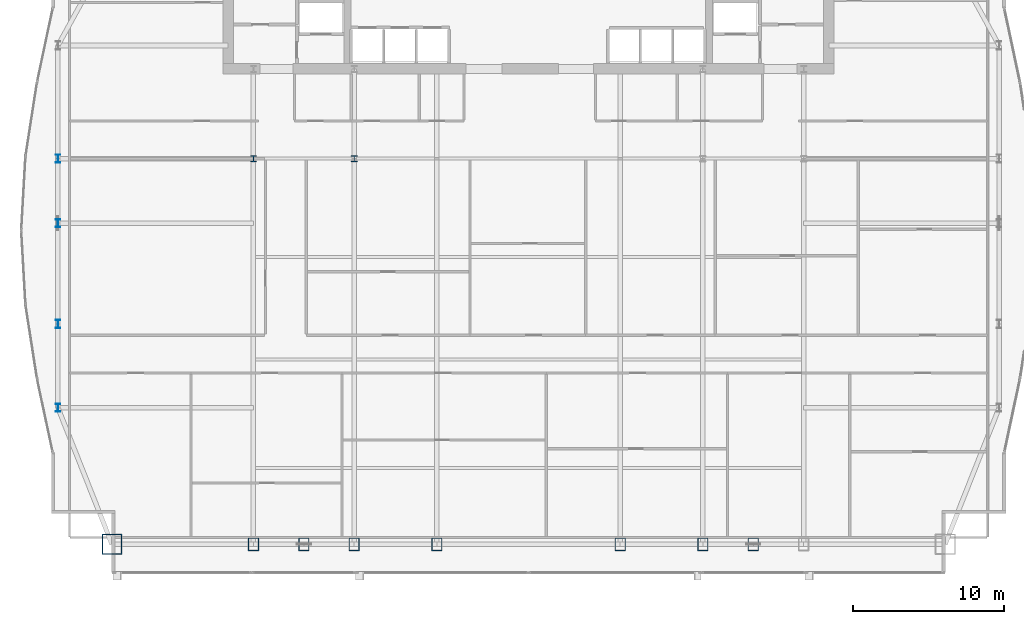
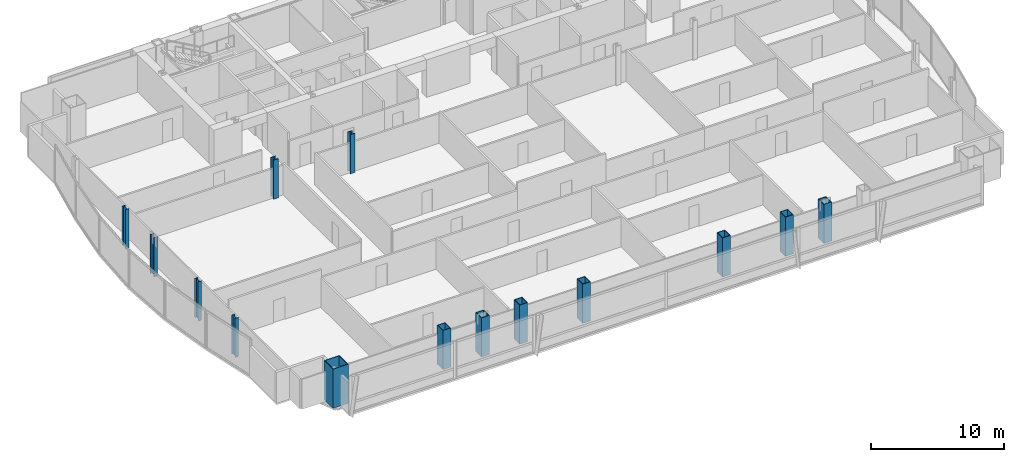
# One storey, part 1 of 29: 14 columns.
"""IFC4 building model written with IfcOpenShell, lengths in metres."""

from ifc_helpers import new_model, si_unit, direction, frame, origin, origin_2d, place, context, subcontext, project, spatial, hollow_rectangle, i_section, extrude, material, material_profile, profile_set, type_object, element, save


model = new_model("IFC4")

# Units and contexts
model_context = context("Model", 3, precision=1e-05, world=origin(), true_north=direction((0.0, 1.0)))
body_context = subcontext(model_context, "Body", "Model", "MODEL_VIEW")
ifc_project = project(units=[si_unit("LENGTHUNIT", "METRE"), si_unit("AREAUNIT", "SQUARE_METRE"), si_unit("VOLUMEUNIT", "CUBIC_METRE"), si_unit("PLANEANGLEUNIT", "RADIAN"), si_unit("MASSUNIT", "GRAM", prefix="KILO")], contexts=[model_context])

# Site, building, storey
site_placement = place(None, origin())
site = spatial("IfcSite", under=ifc_project, at=site_placement, CompositionType="ELEMENT")
building_placement = place(site_placement, origin())
building = spatial("IfcBuilding", under=site, at=building_placement, Name="Khoronbel Lancet Exchange", CompositionType="ELEMENT")
storey_placement = place(building_placement, frame((0.0, 0.0, 165.0)))
storey = spatial("IfcBuildingStorey", under=building, at=storey_placement, Name="L41", CompositionType="ELEMENT", Elevation=165.0)

# Columns
ifc_material_1 = material(Name="Steel S460", Category="steel")
ifc_material_profile_1 = material_profile(ifc_material_1, hollow_rectangle(XDim=0.699951171875, YDim=0.85009765625, WallThickness=0.050048828125, at=origin_2d()), Name="BOX 850x700x50")
ifc_profile_set_1 = profile_set([ifc_material_profile_1], Name="Steel S460")
column_type_1 = type_object("IfcColumnType", Name="COL-EC2", PredefinedType="COLUMN", material=ifc_profile_set_1)
for number, where, z_axis, x_axis, name in (
    (1, (18.22509765625, 10.14990234375, 0.0), (0.0, 0.0, 1.0), (1.0, 0.0, 0.0), "Structural column SC-W1 L41"),
    (2, (21.5625, 10.14990234375, 0.0), (0.0, 0.0, 1.0), (1.0, 0.0, 0.0), "Structural column SC-WM L41"),
    (3, (24.89990234375, 10.14990234375, 0.0), (0.0, 0.0, 1.0), (1.0, 0.0, 0.0), "Structural column SC-W2 L41"),
    (4, (30.375, 10.14990234375, 0.0), (0.0, 0.0, 1.0), (1.0, 0.0, 0.0), "Structural column SC-C1 L41"),
    (5, (42.52490234375, 10.14990234375, 0.0), (0.0, 0.0, 1.0), (1.0, 0.0, 0.0), "Structural column SC-C2 L41"),
    (6, (48.0, 10.14990234375, 0.0), (0.0, 0.0, 1.0), (1.0, 0.0, 0.0), "Structural column SC-E1 L41"),
    (7, (51.33740234375, 10.14990234375, 0.0), (0.0, 0.0, 1.0), (1.0, 0.0, 0.0), "Structural column SC-EM L41"),
):
    element("IfcColumn", number, at=place(storey_placement, frame(where, z_axis=z_axis, x_axis=x_axis)), inside=storey, type_object=column_type_1, Name=name, PredefinedType="COLUMN", context=body_context, shape_type="SweptSolid", body=[
        extrude(hollow_rectangle(XDim=0.699951171875, YDim=0.85009765625, WallThickness=0.050048828125, at=origin_2d()), origin(), (0.0, 0.0, 1.0), 3.60009765625),
    ])
ifc_material_profile_2 = material_profile(ifc_material_1, i_section(OverallWidth=0.416015625, OverallDepth=0.446044921875, WebThickness=0.0390625, FlangeThickness=0.062744140625, at=origin_2d()), Name="HD 400x509")
ifc_profile_set_2 = profile_set([ifc_material_profile_2], Name="Steel S460")
column_type_2 = type_object("IfcColumnType", Name="COL-IC2", PredefinedType="COLUMN", material=ifc_profile_set_2)
for number, where, z_axis, x_axis, name in (
    (8, (18.22509765625, 35.699951171875, 0.0), (0.0, 0.0, 1.0), (1.0, 0.0, 0.0), "Spine gravity column TC1 L41"),
    (9, (24.89990234375, 35.699951171875, 0.0), (0.0, 0.0, 1.0), (1.0, 0.0, 0.0), "Spine gravity column TC2 L41"),
):
    element("IfcColumn", number, at=place(storey_placement, frame(where, z_axis=z_axis, x_axis=x_axis)), inside=storey, type_object=column_type_2, Name=name, PredefinedType="COLUMN", context=body_context, shape_type="SweptSolid", body=[
        extrude(i_section(OverallWidth=0.416015625, OverallDepth=0.446044921875, WebThickness=0.0390625, FlangeThickness=0.062744140625, at=origin_2d()), origin(), (0.0, 0.0, 1.0), 3.60009765625),
    ])
ifc_material_2 = material(Name="Steel S355", Category="steel")
ifc_material_profile_3 = material_profile(ifc_material_2, i_section(OverallWidth=0.300048828125, OverallDepth=0.550048828125, WebThickness=0.014892578125, FlangeThickness=0.029052734375, at=origin_2d()), Name="HEB 550")
ifc_profile_set_3 = profile_set([ifc_material_profile_3], Name="Steel S355")
column_type_3 = type_object("IfcColumnType", Name="COL-LC1", PredefinedType="COLUMN", material=ifc_profile_set_3)
for number, where, z_axis, x_axis, name in (
    (10, (5.27001953125, 19.199951171875, 0.0), (0.0, 0.0, 1.0), (1.0, 0.0, 0.0), "Structural column WC-1 L41"),
    (11, (5.27001953125, 24.75, 0.0), (0.0, 0.0, 1.0), (1.0, 0.0, 0.0), "Structural column WC-2 L41"),
    (12, (5.27001953125, 31.425048828125, 0.0), (0.0, 0.0, 1.0), (1.0, 0.0, 0.0), "Structural column WC-M L41"),
    (13, (5.27001953125, 35.699951171875, 0.0), (0.0, 0.0, 1.0), (1.0, 0.0, 0.0), "Structural column WC-3 L41"),
):
    element("IfcColumn", number, at=place(storey_placement, frame(where, z_axis=z_axis, x_axis=x_axis)), inside=storey, type_object=column_type_3, Name=name, PredefinedType="COLUMN", context=body_context, shape_type="SweptSolid", body=[
        extrude(i_section(OverallWidth=0.300048828125, OverallDepth=0.550048828125, WebThickness=0.014892578125, FlangeThickness=0.029052734375, at=origin_2d()), origin(), (0.0, 0.0, 1.0), 3.60009765625),
    ])
ifc_material_profile_4 = material_profile(ifc_material_1, hollow_rectangle(XDim=1.35009765625, YDim=1.35009765625, WallThickness=0.06494140625, at=origin_2d()), Name="BOX 1350x1350x65")
ifc_profile_set_4 = profile_set([ifc_material_profile_4], Name="Steel S460")
column_type_4 = type_object("IfcColumnType", Name="COL-MC4", PredefinedType="COLUMN", material=ifc_profile_set_4)
column_placement = place(storey_placement, frame((8.85009765625, 10.14990234375, 0.0), z_axis=(0.0, 0.0, 1.0), x_axis=(1.0, 0.0, 0.0)))
element("IfcColumn", 14, at=column_placement, inside=storey, type_object=column_type_4, Name="Structural column MC-SW L41", PredefinedType="COLUMN", context=body_context, shape_type="SweptSolid", body=[
    extrude(hollow_rectangle(XDim=1.35009765625, YDim=1.35009765625, WallThickness=0.06494140625, at=origin_2d()), origin(), (0.0, 0.0, 1.0), 3.60009765625),
])

save(model, "model.ifc")
